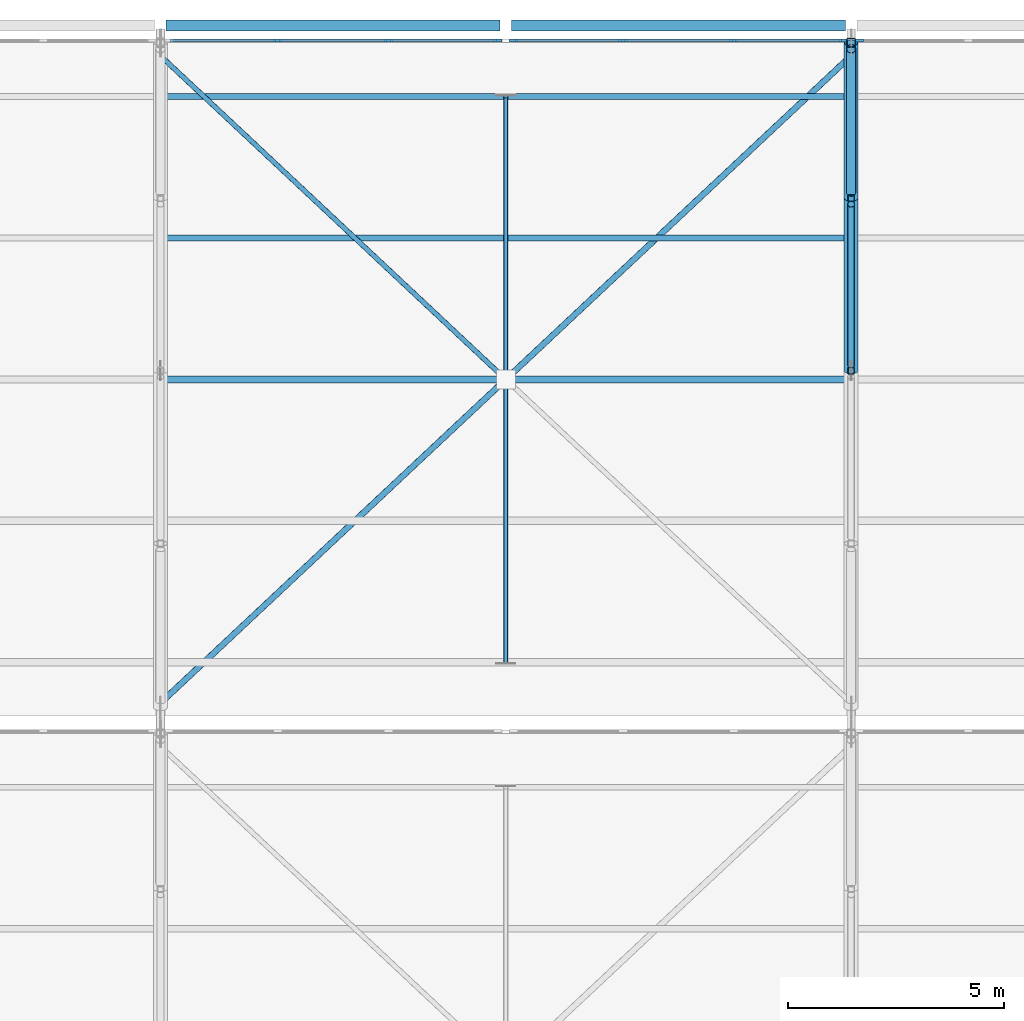
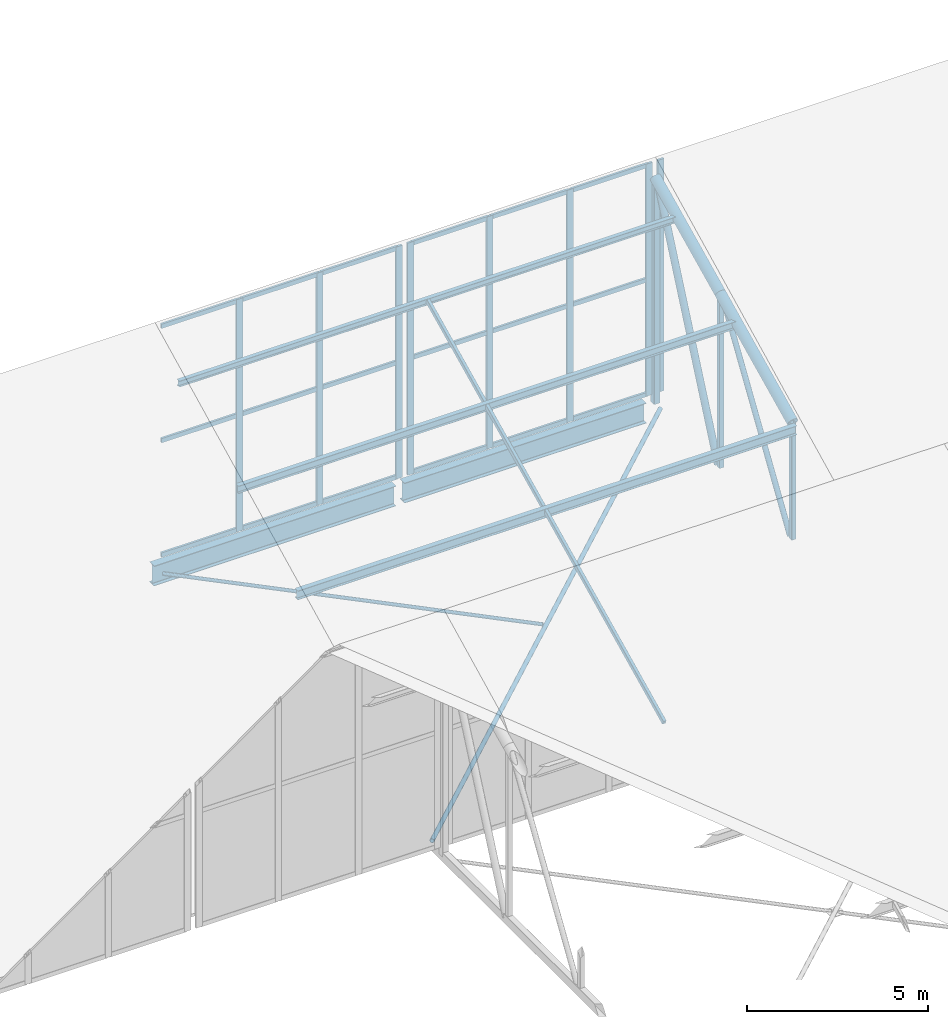
# One storey, part 81 of 137: 36 members, 5 beams, 3 elements without a shape of their own.
"""IFC4 building model written with IfcOpenShell, lengths in metres."""

from ifc_helpers import new_model, si_unit, direction, frame, origin, origin_2d, place, context, subcontext, project, spatial, rectangle, hollow_rectangle, hollow_circle, i_section, extrude, material, layer, layer_set, material_profile, profile_set, type_object, element, aggregate, save


model = new_model("IFC4")

# Units and contexts
model_context = context("Model", 3, precision=1e-05, world=origin(), true_north=direction((0.0, 1.0)))
body_context = subcontext(model_context, "Body", "Model", "MODEL_VIEW")
ifc_project = project(units=[si_unit("LENGTHUNIT", "METRE"), si_unit("AREAUNIT", "SQUARE_METRE"), si_unit("VOLUMEUNIT", "CUBIC_METRE"), si_unit("PLANEANGLEUNIT", "RADIAN"), si_unit("MASSUNIT", "GRAM", prefix="KILO")], contexts=[model_context])

# Site, building, storey
site_placement = place(None, origin())
site = spatial("IfcSite", under=ifc_project, at=site_placement, CompositionType="ELEMENT")
building_placement = place(site_placement, origin())
building = spatial("IfcBuilding", under=site, at=building_placement, Name="Jelvoka-Kovrelna Polytechnic", CompositionType="ELEMENT")
storey_placement = place(building_placement, frame((0.0, 0.0, 9.60009765625)))
storey = spatial("IfcBuildingStorey", under=building, at=storey_placement, Name="L03", CompositionType="ELEMENT", Elevation=9.60009765625)

# Beams
ifc_material_1 = material(Name="Structural steel S355JR", Category="steel")
ifc_material_profile_1 = material_profile(ifc_material_1, i_section(OverallWidth=0.2529296875, OverallDepth=0.677978515625, WebThickness=0.01171875, FlangeThickness=0.01611328125, FilletRadius=0.01513671875, at=origin_2d()), Name="686x254x125 UB")
ifc_profile_set_1 = profile_set([ifc_material_profile_1], Name="Structural steel S355JR")
beam_type_1 = type_object("IfcBeamType", Name="Girder_Steel_UB686", PredefinedType="BEAM", material=ifc_profile_set_1)
for number, where, z_axis, x_axis, name in (
    (1, (152.1328125, 120.0, -0.34912109375), (1.0, 0.0, 0.0), (0.0, 1.0, 0.0), "L03 beam 0106"),
    (2, (160.1328125, 120.0, -0.34912109375), (1.0, 0.0, 0.0), (0.0, 1.0, 0.0), "L03 beam 0108"),
):
    element("IfcBeam", number, at=place(storey_placement, frame(where, z_axis=z_axis, x_axis=x_axis)), inside=storey, type_object=beam_type_1, Name=name, PredefinedType="BEAM", context=body_context, shape_type="SweptSolid", body=[
        extrude(i_section(OverallWidth=0.2529296875, OverallDepth=0.677978515625, WebThickness=0.01171875, FlangeThickness=0.01611328125, FilletRadius=0.01513671875, at=origin_2d()), origin(), (0.0, 0.0, 1.0), 7.734375),
    ])

# Members
ifc_material_2 = material(Name="Structural steel S355J2H", Category="steel")
ifc_material_profile_2 = material_profile(ifc_material_2, hollow_circle(Radius=0.05712890625, WallThickness=0.00634765625, at=origin_2d()), Name="114.3x6.3 CHS")
ifc_profile_set_2 = profile_set([ifc_material_profile_2], Name="Structural steel S355J2H")
member_type_1 = type_object("IfcMemberType", Name="Member_Brace_CHS114", PredefinedType="BRACE", material=ifc_profile_set_2)
member_1_placement = place(storey_placement, frame((152.050048828125, 119.25, 0.14990234375), z_axis=(0.729679522085, -0.683789291412, 0.0), x_axis=(0.683789291412, 0.729679522085, 0.0)))
element("IfcMember", 3, at=member_1_placement, inside=storey, type_object=member_type_1, Name="Sawtooth roof split X-brace half-diagonal 0222", PredefinedType="BRACE", context=body_context, shape_type="SweptSolid", body=[
    extrude(hollow_circle(Radius=0.05712890625, WallThickness=0.00634765625, at=origin_2d()), origin(), (0.0, 0.0, 1.0), 10.80517578125),
])
ifc_material_3 = material(Name="Structural steel S355J2H", Category="steel")
ifc_material_profile_3 = material_profile(ifc_material_3, hollow_circle(Radius=0.06982421875, WallThickness=0.00634765625, at=origin_2d()), Name="139.7x6.3 CHS")
ifc_profile_set_3 = profile_set([ifc_material_profile_3], Name="Structural steel S355J2H")
member_type_2 = type_object("IfcMemberType", Name="Member_Brace_CHS140", PredefinedType="BRACE", material=ifc_profile_set_3)
member_2_placement = place(storey_placement, frame((152.050048828125, 104.35009765625, 0.14990234375), z_axis=(0.72968044266, 0.683788309055, 0.0), x_axis=(-0.683788309055, 0.72968044266, 0.0)))
element("IfcMember", 4, at=member_2_placement, inside=storey, type_object=member_type_2, Name="Sawtooth roof continuous X-brace 0221", PredefinedType="BRACE", context=body_context, shape_type="SweptSolid", body=[
    extrude(hollow_circle(Radius=0.06982421875, WallThickness=0.00634765625, at=origin_2d()), origin(), (0.0, 0.0, 1.0), 21.790283203125),
])
ifc_material_4 = material(Name="Structural steel S355J2H", Category="steel")
ifc_material_profile_4 = material_profile(ifc_material_4, hollow_circle(Radius=0.084228515625, WallThickness=0.008056640625, at=origin_2d()), Name="168.3x8.0 CHS")
ifc_profile_set_4 = profile_set([ifc_material_profile_4], Name="Structural steel S355J2H")
member_type_3 = type_object("IfcMemberType", Name="Member_Brace_CHS168", PredefinedType="BRACE", material=ifc_profile_set_4)
member_3_placement = place(storey_placement, frame((168.0, 112.139892578125, 0.14990234375), z_axis=(0.0, 0.5415746521, 0.840652660855), x_axis=(-1.0, 0.0, 0.0)))
element("IfcMember", 5, at=member_3_placement, inside=storey, type_object=member_type_3, Name="Sawtooth truss 6 diagonal web 2.3", PredefinedType="BRACE", context=body_context, shape_type="SweptSolid", body=[
    extrude(hollow_circle(Radius=0.084228515625, WallThickness=0.008056640625, at=origin_2d()), origin(), (0.0, 0.0, 1.0), 6.869140625),
])
ifc_material_5 = material(Name="Structural steel S355J2H", Category="steel")
ifc_material_profile_5 = material_profile(ifc_material_5, hollow_circle(Radius=0.109619140625, WallThickness=0.008056640625, at=origin_2d()), Name="219.1x8.0 CHS")
ifc_profile_set_5 = profile_set([ifc_material_profile_5], Name="Structural steel S355J2H")
member_type_4 = type_object("IfcMemberType", Name="Member_Brace_CHS219", PredefinedType="BRACE", material=ifc_profile_set_5)
member_4_placement = place(storey_placement, frame((168.0, 116.139892578125, 0.14990234375), z_axis=(0.0, 0.404336237521, 0.914610412705), x_axis=(-1.0, 0.0, 0.0)))
element("IfcMember", 6, at=member_4_placement, inside=storey, type_object=member_type_4, Name="Sawtooth truss 6 diagonal web 2.4", PredefinedType="BRACE", context=body_context, shape_type="SweptSolid", body=[
    extrude(hollow_circle(Radius=0.109619140625, WallThickness=0.008056640625, at=origin_2d()), origin(), (0.0, 0.0, 1.0), 8.211181640625),
])
ifc_material_6 = material(Name="Structural steel S355J2H", Category="steel")
ifc_material_profile_6 = material_profile(ifc_material_6, hollow_circle(Radius=0.161865234375, WallThickness=0.010009765625, at=origin_2d()), Name="323.9x10.0 CHS")
ifc_profile_set_6 = profile_set([ifc_material_profile_6], Name="Structural steel S355J2H")
member_type_5 = type_object("IfcMemberType", Name="Member_Chord_CHS324", PredefinedType="CHORD", material=ifc_profile_set_6)
member_5_placement = place(storey_placement, frame((168.0, 112.0, 4.076416015625), z_axis=(0.0, 0.900820911068, 0.434190840741), x_axis=(-1.0, 0.0, 0.0)))
element("IfcMember", 7, at=member_5_placement, inside=storey, type_object=member_type_5, Name="Sawtooth truss 6 top chord 2.3", PredefinedType="CHORD", context=body_context, shape_type="SweptSolid", body=[
    extrude(hollow_circle(Radius=0.161865234375, WallThickness=0.010009765625, at=origin_2d()), origin(), (0.0, 0.0, 1.0), 4.4404296875),
])
member_6_placement = place(storey_placement, frame((168.0, 116.0, 6.00439453125), z_axis=(0.0, 0.900784896778, 0.434265552095), x_axis=(-1.0, 0.0, 0.0)))
element("IfcMember", 8, at=member_6_placement, inside=storey, type_object=member_type_5, Name="Sawtooth truss 6 top chord 2.4", PredefinedType="CHORD", context=body_context, shape_type="SweptSolid", body=[
    extrude(hollow_circle(Radius=0.161865234375, WallThickness=0.010009765625, at=origin_2d()), origin(), (0.0, 0.0, 1.0), 3.99658203125),
])
ifc_material_7 = material(Name="Structural steel S355J2H", Category="steel")
ifc_material_profile_7 = material_profile(ifc_material_7, hollow_rectangle(XDim=0.14990234375, YDim=0.14990234375, WallThickness=0.008056640625, InnerFilletRadius=0.008056640625, OuterFilletRadius=0.011962890625, at=origin_2d()), Name="150x150x8.0 SHS")
ifc_profile_set_7 = profile_set([ifc_material_profile_7], Name="Structural steel S355J2H")
member_type_6 = type_object("IfcMemberType", Name="Member_Post_SHS150", PredefinedType="POST", material=ifc_profile_set_7)
member_7_placement = place(storey_placement, frame((168.0, 112.0, 0.14990234375), z_axis=(0.0, 0.0, 1.0), x_axis=(1.0, 0.0, 0.0)))
element("IfcMember", 9, at=member_7_placement, inside=storey, type_object=member_type_6, Name="Sawtooth truss 6 web post 2.3", PredefinedType="POST", context=body_context, shape_type="SweptSolid", body=[
    extrude(hollow_rectangle(XDim=0.14990234375, YDim=0.14990234375, WallThickness=0.008056640625, InnerFilletRadius=0.008056640625, OuterFilletRadius=0.011962890625, at=origin_2d()), origin(), (0.0, 0.0, 1.0), 3.926513671875),
])
member_8_placement = place(storey_placement, frame((168.0, 116.0, 0.14990234375), z_axis=(0.0, 0.0, 1.0), x_axis=(1.0, 0.0, 0.0)))
element("IfcMember", 10, at=member_8_placement, inside=storey, type_object=member_type_6, Name="Sawtooth truss 6 web post 2.4", PredefinedType="POST", context=body_context, shape_type="SweptSolid", body=[
    extrude(hollow_rectangle(XDim=0.14990234375, YDim=0.14990234375, WallThickness=0.008056640625, InnerFilletRadius=0.008056640625, OuterFilletRadius=0.011962890625, at=origin_2d()), origin(), (0.0, 0.0, 1.0), 5.8544921875),
])
ifc_material_8 = material(Name="Structural steel S355J2H", Category="steel")
ifc_material_profile_8 = material_profile(ifc_material_8, hollow_rectangle(XDim=0.199951171875, YDim=0.199951171875, WallThickness=0.010009765625, InnerFilletRadius=0.010009765625, OuterFilletRadius=0.014892578125, at=origin_2d()), Name="200x200x10.0 SHS")
ifc_profile_set_8 = profile_set([ifc_material_profile_8], Name="Structural steel S355J2H")
member_type_7 = type_object("IfcMemberType", Name="Member_Post_SHS200", PredefinedType="POST", material=ifc_profile_set_8)
member_9_placement = place(storey_placement, frame((168.0, 119.60009765625, 0.14990234375), z_axis=(0.0, 0.0, 1.0), x_axis=(1.0, 0.0, 0.0)))
element("IfcMember", 11, at=member_9_placement, inside=storey, type_object=member_type_7, Name="Sawtooth truss 6 web post 2.5", PredefinedType="POST", context=body_context, shape_type="SweptSolid", body=[
    extrude(hollow_rectangle(XDim=0.199951171875, YDim=0.199951171875, WallThickness=0.010009765625, InnerFilletRadius=0.010009765625, OuterFilletRadius=0.014892578125, at=origin_2d()), origin(), (0.0, 0.0, 1.0), 7.590087890625),
])
ifc_material_9 = material(Name="Structural steel S355J2H", Category="steel")
ifc_material_profile_9 = material_profile(ifc_material_9, hollow_rectangle(XDim=0.10009765625, YDim=0.14990234375, WallThickness=0.00634765625, InnerFilletRadius=0.00634765625, OuterFilletRadius=0.009521484375, at=origin_2d()), Name="150x100x6.3 RHS")
ifc_profile_set_9 = profile_set([ifc_material_profile_9], Name="Structural steel S355J2H")
member_type_8 = type_object("IfcMemberType", Name="Member_Rafter_RHS150", PredefinedType="RAFTER", material=ifc_profile_set_9)
member_10_placement = place(storey_placement, frame((160.0, 105.248046875, 0.821533203125), z_axis=(0.0, 0.900805023058, 0.434223802243), x_axis=(-1.0, 0.0, 0.0)))
element("IfcMember", 12, at=member_10_placement, inside=storey, type_object=member_type_8, Name="Sawtooth mid-bay secondary rafter 5.2", PredefinedType="RAFTER", context=body_context, shape_type="SweptSolid", body=[
    extrude(hollow_rectangle(XDim=0.10009765625, YDim=0.14990234375, WallThickness=0.00634765625, InnerFilletRadius=0.00634765625, OuterFilletRadius=0.009521484375, at=origin_2d()), origin(), (0.0, 0.0, 1.0), 14.546875),
])

# Curtain wall, members
ifc_material_10 = material(Name="Anodised aluminium 6063-T6", Category="aluminium")
ifc_layer = layer(ifc_material_10, 0.199951171875)
ifc_layer_set = layer_set([ifc_layer], Name="Anodised aluminium 6063-T6")
curtain_wall_type = type_object("IfcCurtainWallType", Name="CW_Clerestory", PredefinedType="NOTDEFINED", material=ifc_layer_set)
curtain_wall_1_placement = place(storey_placement, origin())
curtain_wall_1 = element("IfcCurtainWall", 13, at=curtain_wall_1_placement, inside=storey, type_object=curtain_wall_type, Name="L03 glazed curtain wall 200", PredefinedType="NOTDEFINED")
ifc_material_11 = material(Name="Anodised aluminium 6063-T6", Category="aluminium")
ifc_material_profile_10 = material_profile(ifc_material_11, rectangle(XDim=0.070068359375, YDim=0.199951171875, at=origin_2d()), Name="ALU 70x200")
ifc_profile_set_10 = profile_set([ifc_material_profile_10], Name="Anodised aluminium 6063-T6")
member_type_9 = type_object("IfcMemberType", Name="Mullion_M-03", PredefinedType="MULLION", material=ifc_profile_set_10)
member_11_placement = place(storey_placement, frame((154.716552734375, 119.64990234375, 0.425048828125), z_axis=(0.0, 0.0, 1.0), x_axis=(0.0, 1.0, 0.0)))
member_11 = element("IfcMember", 14, at=member_11_placement, type_object=member_type_9, Name="CW-03 mullion 2", PredefinedType="MULLION", context=body_context, shape_type="SweptSolid", body=[
    extrude(rectangle(XDim=0.070068359375, YDim=0.199951171875, at=origin_2d()), origin(), (0.0, 0.0, 1.0), 7.85009765625),
])
member_12_placement = place(storey_placement, frame((157.283447265625, 119.64990234375, 0.425048828125), z_axis=(0.0, 0.0, 1.0), x_axis=(0.0, 1.0, 0.0)))
member_12 = element("IfcMember", 15, at=member_12_placement, type_object=member_type_9, Name="CW-03 mullion 3", PredefinedType="MULLION", context=body_context, shape_type="SweptSolid", body=[
    extrude(rectangle(XDim=0.070068359375, YDim=0.199951171875, at=origin_2d()), origin(), (0.0, 0.0, 1.0), 7.85009765625),
])
member_13_placement = place(storey_placement, frame((159.81494140625, 119.64990234375, 0.425048828125), z_axis=(0.0, 0.0, 1.0), x_axis=(0.0, 1.0, 0.0)))
member_13 = element("IfcMember", 16, at=member_13_placement, type_object=member_type_9, Name="CW-03 mullion 4", PredefinedType="MULLION", context=body_context, shape_type="SweptSolid", body=[
    extrude(rectangle(XDim=0.070068359375, YDim=0.199951171875, at=origin_2d()), origin(), (0.0, 0.0, 1.0), 7.85009765625),
])

curtain_wall_2_placement = place(storey_placement, origin())
curtain_wall_2 = element("IfcCurtainWall", 17, at=curtain_wall_2_placement, inside=storey, type_object=curtain_wall_type, Name="L03 glazed curtain wall 202", PredefinedType="NOTDEFINED")
member_14_placement = place(storey_placement, frame((160.18505859375, 119.64990234375, 0.425048828125), z_axis=(0.0, 0.0, 1.0), x_axis=(0.0, 1.0, 0.0)))
member_14 = element("IfcMember", 18, at=member_14_placement, type_object=member_type_9, Name="CW-03 mullion 1", PredefinedType="MULLION", context=body_context, shape_type="SweptSolid", body=[
    extrude(rectangle(XDim=0.070068359375, YDim=0.199951171875, at=origin_2d()), origin(), (0.0, 0.0, 1.0), 7.85009765625),
])
member_15_placement = place(storey_placement, frame((162.716552734375, 119.64990234375, 0.425048828125), z_axis=(0.0, 0.0, 1.0), x_axis=(0.0, 1.0, 0.0)))
member_15 = element("IfcMember", 19, at=member_15_placement, type_object=member_type_9, Name="CW-03 mullion 2", PredefinedType="MULLION", context=body_context, shape_type="SweptSolid", body=[
    extrude(rectangle(XDim=0.070068359375, YDim=0.199951171875, at=origin_2d()), origin(), (0.0, 0.0, 1.0), 7.85009765625),
])
member_16_placement = place(storey_placement, frame((165.283447265625, 119.64990234375, 0.425048828125), z_axis=(0.0, 0.0, 1.0), x_axis=(0.0, 1.0, 0.0)))
member_16 = element("IfcMember", 20, at=member_16_placement, type_object=member_type_9, Name="CW-03 mullion 3", PredefinedType="MULLION", context=body_context, shape_type="SweptSolid", body=[
    extrude(rectangle(XDim=0.070068359375, YDim=0.199951171875, at=origin_2d()), origin(), (0.0, 0.0, 1.0), 7.85009765625),
])
member_17_placement = place(storey_placement, frame((167.81494140625, 119.64990234375, 0.425048828125), z_axis=(0.0, 0.0, 1.0), x_axis=(0.0, 1.0, 0.0)))
member_17 = element("IfcMember", 21, at=member_17_placement, type_object=member_type_9, Name="CW-03 mullion 4", PredefinedType="MULLION", context=body_context, shape_type="SweptSolid", body=[
    extrude(rectangle(XDim=0.070068359375, YDim=0.199951171875, at=origin_2d()), origin(), (0.0, 0.0, 1.0), 7.85009765625),
])

# Curtain wall, member
curtain_wall_3_placement = place(storey_placement, origin())
curtain_wall_3 = element("IfcCurtainWall", 22, at=curtain_wall_3_placement, inside=storey, type_object=curtain_wall_type, Name="L03 glazed curtain wall 204", PredefinedType="NOTDEFINED")
member_18_placement = place(storey_placement, frame((168.18505859375, 119.64990234375, 0.425048828125), z_axis=(0.0, 0.0, 1.0), x_axis=(0.0, 1.0, 0.0)))
member_18 = element("IfcMember", 23, at=member_18_placement, type_object=member_type_9, Name="CW-03 mullion 1", PredefinedType="MULLION", context=body_context, shape_type="SweptSolid", body=[
    extrude(rectangle(XDim=0.070068359375, YDim=0.199951171875, at=origin_2d()), origin(), (0.0, 0.0, 1.0), 7.85009765625),
])
aggregate(curtain_wall_3, [member_18])

# Beams
ifc_material_12 = material(Name="Structural steel S355JR", Category="steel")
ifc_material_profile_11 = material_profile(ifc_material_12, i_section(OverallWidth=0.13330078125, OverallDepth=0.203125, WebThickness=0.005615234375, FlangeThickness=0.0078125, FilletRadius=0.007568359375, at=origin_2d()), Name="203x133x25 UB")
ifc_profile_set_11 = profile_set([ifc_material_profile_11], Name="Structural steel S355JR")
beam_type_2 = type_object("IfcBeamType", Name="Purlin_Steel_UB203", PredefinedType="JOIST", material=ifc_profile_set_11)
beam_1_placement = place(storey_placement, frame((152.02001953125, 118.35205078125, 7.13818359375), z_axis=(1.0, 0.0, 0.0), x_axis=(0.0, 1.0, 0.0)))
element("IfcBeam", 24, at=beam_1_placement, inside=storey, type_object=beam_type_2, Name="Sawtooth roof purlin 050", PredefinedType="JOIST", context=body_context, shape_type="SweptSolid", body=[
    extrude(i_section(OverallWidth=0.13330078125, OverallDepth=0.203125, WebThickness=0.005615234375, FlangeThickness=0.0078125, FilletRadius=0.007568359375, at=origin_2d()), origin(), (0.0, 0.0, 1.0), 15.9599609375),
])
ifc_material_13 = material(Name="Structural steel S355JR", Category="steel")
ifc_material_profile_12 = material_profile(ifc_material_13, i_section(OverallWidth=0.14599609375, OverallDepth=0.25146484375, WebThickness=0.006103515625, FlangeThickness=0.008544921875, FilletRadius=0.007568359375, at=origin_2d()), Name="254x146x31 UB")
ifc_profile_set_12 = profile_set([ifc_material_profile_12], Name="Structural steel S355JR")
beam_type_3 = type_object("IfcBeamType", Name="Purlin_Steel_UB254", PredefinedType="JOIST", material=ifc_profile_set_12)
beam_2_placement = place(storey_placement, frame((152.02001953125, 115.075927734375, 5.55908203125), z_axis=(1.0, 0.0, 0.0), x_axis=(0.0, 1.0, 0.0)))
element("IfcBeam", 25, at=beam_2_placement, inside=storey, type_object=beam_type_3, Name="Sawtooth roof purlin 049", PredefinedType="JOIST", context=body_context, shape_type="SweptSolid", body=[
    extrude(i_section(OverallWidth=0.14599609375, OverallDepth=0.25146484375, WebThickness=0.006103515625, FlangeThickness=0.008544921875, FilletRadius=0.007568359375, at=origin_2d()), origin(), (0.0, 0.0, 1.0), 15.9599609375),
])
ifc_material_14 = material(Name="Structural steel S355JR", Category="steel")
ifc_material_profile_13 = material_profile(ifc_material_14, i_section(OverallWidth=0.1650390625, OverallDepth=0.303466796875, WebThickness=0.006103515625, FlangeThickness=0.01025390625, FilletRadius=0.0087890625, at=origin_2d()), Name="305x165x40 UB")
ifc_profile_set_13 = profile_set([ifc_material_profile_13], Name="Structural steel S355JR")
beam_type_4 = type_object("IfcBeamType", Name="Purlin_Steel_UB305", PredefinedType="JOIST", material=ifc_profile_set_13)
beam_3_placement = place(storey_placement, frame((152.02001953125, 111.800048828125, 3.97998046875), z_axis=(1.0, 0.0, 0.0), x_axis=(0.0, 1.0, 0.0)))
element("IfcBeam", 26, at=beam_3_placement, inside=storey, type_object=beam_type_4, Name="Sawtooth roof purlin 048", PredefinedType="JOIST", context=body_context, shape_type="SweptSolid", body=[
    extrude(i_section(OverallWidth=0.1650390625, OverallDepth=0.303466796875, WebThickness=0.006103515625, FlangeThickness=0.01025390625, FilletRadius=0.0087890625, at=origin_2d()), origin(), (0.0, 0.0, 1.0), 15.9599609375),
])

# Member
ifc_material_15 = material(Name="Anodised aluminium 6063-T6", Category="aluminium")
ifc_material_profile_14 = material_profile(ifc_material_15, rectangle(XDim=0.070068359375, YDim=0.14501953125, at=origin_2d()), Name="ALU 70x145")
ifc_profile_set_14 = profile_set([ifc_material_profile_14], Name="Anodised aluminium 6063-T6")
member_type_10 = type_object("IfcMemberType", Name="Transom_T-03", PredefinedType="USERDEFINED", material=ifc_profile_set_14)
member_19_placement = place(storey_placement, frame((152.219970703125, 119.64990234375, 0.48486328125), z_axis=(1.0, 0.0, 0.0), x_axis=(0.0, 1.0, 0.0)))
member_19 = element("IfcMember", 27, at=member_19_placement, type_object=member_type_10, Name="CW-03 transom 1.1", ObjectType="TRANSOM", PredefinedType="USERDEFINED", context=body_context, shape_type="SweptSolid", body=[
    extrude(rectangle(XDim=0.070068359375, YDim=0.14501953125, at=origin_2d()), origin(), (0.0, 0.0, 1.0), 2.461669921875),
])

member_20_placement = place(storey_placement, frame((152.219970703125, 119.64990234375, 4.349853515625), z_axis=(1.0, 0.0, 0.0), x_axis=(0.0, 1.0, 0.0)))
member_20 = element("IfcMember", 28, at=member_20_placement, type_object=member_type_10, Name="CW-03 transom 1.2", ObjectType="TRANSOM", PredefinedType="USERDEFINED", context=body_context, shape_type="SweptSolid", body=[
    extrude(rectangle(XDim=0.070068359375, YDim=0.14501953125, at=origin_2d()), origin(), (0.0, 0.0, 1.0), 2.461669921875),
])

member_21_placement = place(storey_placement, frame((152.219970703125, 119.64990234375, 8.21484375), z_axis=(1.0, 0.0, 0.0), x_axis=(0.0, 1.0, 0.0)))
member_21 = element("IfcMember", 29, at=member_21_placement, type_object=member_type_10, Name="CW-03 transom 1.3", ObjectType="TRANSOM", PredefinedType="USERDEFINED", context=body_context, shape_type="SweptSolid", body=[
    extrude(rectangle(XDim=0.070068359375, YDim=0.14501953125, at=origin_2d()), origin(), (0.0, 0.0, 1.0), 2.461669921875),
])

member_22_placement = place(storey_placement, frame((154.751708984375, 119.64990234375, 0.48486328125), z_axis=(1.0, 0.0, 0.0), x_axis=(0.0, 1.0, 0.0)))
member_22 = element("IfcMember", 30, at=member_22_placement, type_object=member_type_10, Name="CW-03 transom 2.1", ObjectType="TRANSOM", PredefinedType="USERDEFINED", context=body_context, shape_type="SweptSolid", body=[
    extrude(rectangle(XDim=0.070068359375, YDim=0.14501953125, at=origin_2d()), origin(), (0.0, 0.0, 1.0), 2.49658203125),
])

member_23_placement = place(storey_placement, frame((154.751708984375, 119.64990234375, 4.349853515625), z_axis=(1.0, 0.0, 0.0), x_axis=(0.0, 1.0, 0.0)))
member_23 = element("IfcMember", 31, at=member_23_placement, type_object=member_type_10, Name="CW-03 transom 2.2", ObjectType="TRANSOM", PredefinedType="USERDEFINED", context=body_context, shape_type="SweptSolid", body=[
    extrude(rectangle(XDim=0.070068359375, YDim=0.14501953125, at=origin_2d()), origin(), (0.0, 0.0, 1.0), 2.49658203125),
])

member_24_placement = place(storey_placement, frame((154.751708984375, 119.64990234375, 8.21484375), z_axis=(1.0, 0.0, 0.0), x_axis=(0.0, 1.0, 0.0)))
member_24 = element("IfcMember", 32, at=member_24_placement, type_object=member_type_10, Name="CW-03 transom 2.3", ObjectType="TRANSOM", PredefinedType="USERDEFINED", context=body_context, shape_type="SweptSolid", body=[
    extrude(rectangle(XDim=0.070068359375, YDim=0.14501953125, at=origin_2d()), origin(), (0.0, 0.0, 1.0), 2.49658203125),
])

member_25_placement = place(storey_placement, frame((157.318359375, 119.64990234375, 0.48486328125), z_axis=(1.0, 0.0, 0.0), x_axis=(0.0, 1.0, 0.0)))
member_25 = element("IfcMember", 33, at=member_25_placement, type_object=member_type_10, Name="CW-03 transom 3.1", ObjectType="TRANSOM", PredefinedType="USERDEFINED", context=body_context, shape_type="SweptSolid", body=[
    extrude(rectangle(XDim=0.070068359375, YDim=0.14501953125, at=origin_2d()), origin(), (0.0, 0.0, 1.0), 2.461669921875),
])

member_26_placement = place(storey_placement, frame((157.318359375, 119.64990234375, 4.349853515625), z_axis=(1.0, 0.0, 0.0), x_axis=(0.0, 1.0, 0.0)))
member_26 = element("IfcMember", 34, at=member_26_placement, type_object=member_type_10, Name="CW-03 transom 3.2", ObjectType="TRANSOM", PredefinedType="USERDEFINED", context=body_context, shape_type="SweptSolid", body=[
    extrude(rectangle(XDim=0.070068359375, YDim=0.14501953125, at=origin_2d()), origin(), (0.0, 0.0, 1.0), 2.461669921875),
])

member_27_placement = place(storey_placement, frame((157.318359375, 119.64990234375, 8.21484375), z_axis=(1.0, 0.0, 0.0), x_axis=(0.0, 1.0, 0.0)))
member_27 = element("IfcMember", 35, at=member_27_placement, type_object=member_type_10, Name="CW-03 transom 3.3", ObjectType="TRANSOM", PredefinedType="USERDEFINED", context=body_context, shape_type="SweptSolid", body=[
    extrude(rectangle(XDim=0.070068359375, YDim=0.14501953125, at=origin_2d()), origin(), (0.0, 0.0, 1.0), 2.461669921875),
])

aggregate(curtain_wall_1, [member_11, member_12, member_13, member_19, member_20, member_21, member_22, member_23, member_24, member_25, member_26, member_27])

member_28_placement = place(storey_placement, frame((160.219970703125, 119.64990234375, 0.48486328125), z_axis=(1.0, 0.0, 0.0), x_axis=(0.0, 1.0, 0.0)))
member_28 = element("IfcMember", 36, at=member_28_placement, type_object=member_type_10, Name="CW-03 transom 1.1", ObjectType="TRANSOM", PredefinedType="USERDEFINED", context=body_context, shape_type="SweptSolid", body=[
    extrude(rectangle(XDim=0.070068359375, YDim=0.14501953125, at=origin_2d()), origin(), (0.0, 0.0, 1.0), 2.461669921875),
])

member_29_placement = place(storey_placement, frame((160.219970703125, 119.64990234375, 4.349853515625), z_axis=(1.0, 0.0, 0.0), x_axis=(0.0, 1.0, 0.0)))
member_29 = element("IfcMember", 37, at=member_29_placement, type_object=member_type_10, Name="CW-03 transom 1.2", ObjectType="TRANSOM", PredefinedType="USERDEFINED", context=body_context, shape_type="SweptSolid", body=[
    extrude(rectangle(XDim=0.070068359375, YDim=0.14501953125, at=origin_2d()), origin(), (0.0, 0.0, 1.0), 2.461669921875),
])

member_30_placement = place(storey_placement, frame((160.219970703125, 119.64990234375, 8.21484375), z_axis=(1.0, 0.0, 0.0), x_axis=(0.0, 1.0, 0.0)))
member_30 = element("IfcMember", 38, at=member_30_placement, type_object=member_type_10, Name="CW-03 transom 1.3", ObjectType="TRANSOM", PredefinedType="USERDEFINED", context=body_context, shape_type="SweptSolid", body=[
    extrude(rectangle(XDim=0.070068359375, YDim=0.14501953125, at=origin_2d()), origin(), (0.0, 0.0, 1.0), 2.461669921875),
])

member_31_placement = place(storey_placement, frame((162.751708984375, 119.64990234375, 0.48486328125), z_axis=(1.0, 0.0, 0.0), x_axis=(0.0, 1.0, 0.0)))
member_31 = element("IfcMember", 39, at=member_31_placement, type_object=member_type_10, Name="CW-03 transom 2.1", ObjectType="TRANSOM", PredefinedType="USERDEFINED", context=body_context, shape_type="SweptSolid", body=[
    extrude(rectangle(XDim=0.070068359375, YDim=0.14501953125, at=origin_2d()), origin(), (0.0, 0.0, 1.0), 2.49658203125),
])

member_32_placement = place(storey_placement, frame((162.751708984375, 119.64990234375, 4.349853515625), z_axis=(1.0, 0.0, 0.0), x_axis=(0.0, 1.0, 0.0)))
member_32 = element("IfcMember", 40, at=member_32_placement, type_object=member_type_10, Name="CW-03 transom 2.2", ObjectType="TRANSOM", PredefinedType="USERDEFINED", context=body_context, shape_type="SweptSolid", body=[
    extrude(rectangle(XDim=0.070068359375, YDim=0.14501953125, at=origin_2d()), origin(), (0.0, 0.0, 1.0), 2.49658203125),
])

member_33_placement = place(storey_placement, frame((162.751708984375, 119.64990234375, 8.21484375), z_axis=(1.0, 0.0, 0.0), x_axis=(0.0, 1.0, 0.0)))
member_33 = element("IfcMember", 41, at=member_33_placement, type_object=member_type_10, Name="CW-03 transom 2.3", ObjectType="TRANSOM", PredefinedType="USERDEFINED", context=body_context, shape_type="SweptSolid", body=[
    extrude(rectangle(XDim=0.070068359375, YDim=0.14501953125, at=origin_2d()), origin(), (0.0, 0.0, 1.0), 2.49658203125),
])

member_34_placement = place(storey_placement, frame((165.318359375, 119.64990234375, 0.48486328125), z_axis=(1.0, 0.0, 0.0), x_axis=(0.0, 1.0, 0.0)))
member_34 = element("IfcMember", 42, at=member_34_placement, type_object=member_type_10, Name="CW-03 transom 3.1", ObjectType="TRANSOM", PredefinedType="USERDEFINED", context=body_context, shape_type="SweptSolid", body=[
    extrude(rectangle(XDim=0.070068359375, YDim=0.14501953125, at=origin_2d()), origin(), (0.0, 0.0, 1.0), 2.461669921875),
])

member_35_placement = place(storey_placement, frame((165.318359375, 119.64990234375, 4.349853515625), z_axis=(1.0, 0.0, 0.0), x_axis=(0.0, 1.0, 0.0)))
member_35 = element("IfcMember", 43, at=member_35_placement, type_object=member_type_10, Name="CW-03 transom 3.2", ObjectType="TRANSOM", PredefinedType="USERDEFINED", context=body_context, shape_type="SweptSolid", body=[
    extrude(rectangle(XDim=0.070068359375, YDim=0.14501953125, at=origin_2d()), origin(), (0.0, 0.0, 1.0), 2.461669921875),
])

member_36_placement = place(storey_placement, frame((165.318359375, 119.64990234375, 8.21484375), z_axis=(1.0, 0.0, 0.0), x_axis=(0.0, 1.0, 0.0)))
member_36 = element("IfcMember", 44, at=member_36_placement, type_object=member_type_10, Name="CW-03 transom 3.3", ObjectType="TRANSOM", PredefinedType="USERDEFINED", context=body_context, shape_type="SweptSolid", body=[
    extrude(rectangle(XDim=0.070068359375, YDim=0.14501953125, at=origin_2d()), origin(), (0.0, 0.0, 1.0), 2.461669921875),
])

aggregate(curtain_wall_2, [member_14, member_15, member_16, member_17, member_28, member_29, member_30, member_31, member_32, member_33, member_34, member_35, member_36])

save(model, "model.ifc")
